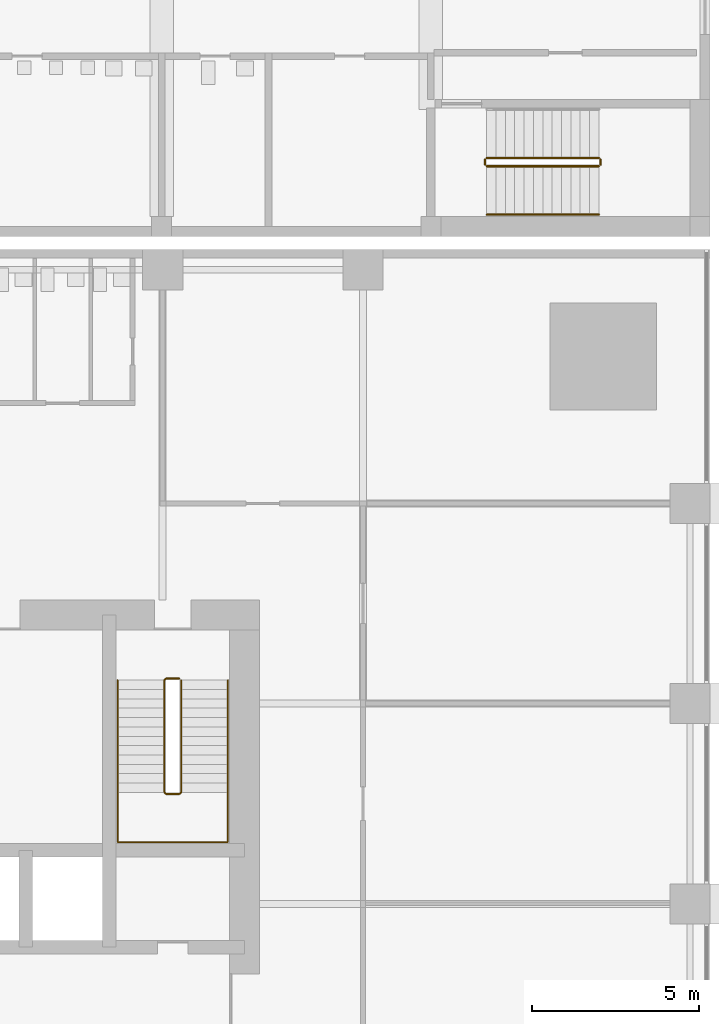
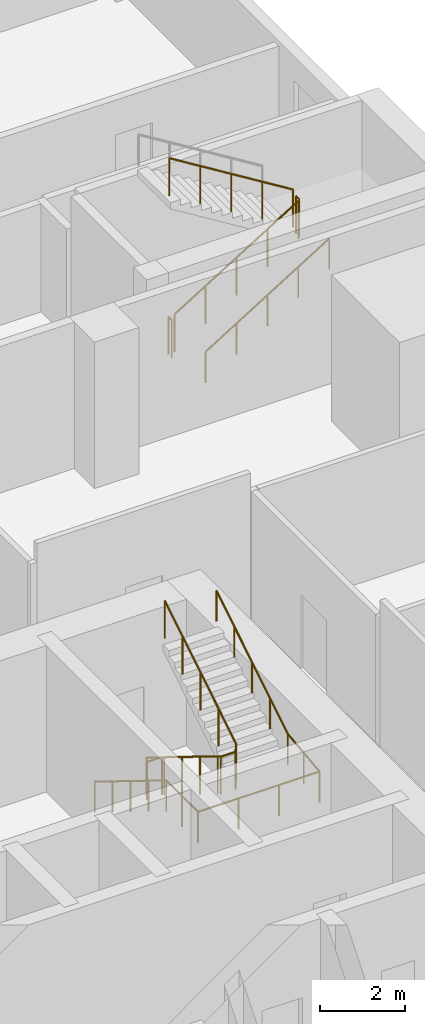
# One storey, part 23 of 25: 7 railings.
"""IFC4 building model written with IfcOpenShell, lengths in metres."""

from ifc_helpers import new_model, si_unit, direction, frame, origin, origin_2d, place, context, subcontext, project, spatial, circle, extrude, material, type_object, element, save


model = new_model("IFC4")

# Units and contexts
model_context = context("Model", 3, precision=1e-05, world=origin(), true_north=direction((0.0, 1.0)))
body_context = subcontext(model_context, "Body", "Model", "MODEL_VIEW")
ifc_project = project(units=[si_unit("LENGTHUNIT", "METRE"), si_unit("AREAUNIT", "SQUARE_METRE"), si_unit("VOLUMEUNIT", "CUBIC_METRE"), si_unit("PLANEANGLEUNIT", "RADIAN"), si_unit("MASSUNIT", "GRAM", prefix="KILO")], contexts=[model_context])

# Site, building, storey
site_placement = place(None, origin())
site = spatial("IfcSite", under=ifc_project, at=site_placement, CompositionType="ELEMENT")
building_placement = place(site_placement, origin())
building = spatial("IfcBuilding", under=site, at=building_placement, Name="Amberfall Residences", CompositionType="ELEMENT")
storey_placement = place(building_placement, frame((0.0, 0.0, 14.5)))
storey = spatial("IfcBuildingStorey", under=building, at=storey_placement, Name="L03", CompositionType="ELEMENT", Elevation=14.5)

# Railings
ifc_material_1 = material(Name="Stainless steel", Category="steel")
railing_type_1 = type_object("IfcRailingType", Name="School stair guard 1100", PredefinedType="GUARDRAIL", material=ifc_material_1)
railing_1_placement = place(storey_placement, frame((93.30810546875, 70.5, 0.173095703125)))
element("IfcRailing", 1, at=railing_1_placement, inside=storey, type_object=railing_type_1, Name="L03 SS5 stair guard 1", PredefinedType="GUARDRAIL", context=body_context, shape_type="SweptSolid", body=[
    extrude(circle(Radius=0.02392578125, at=origin_2d()), frame((0.0, 0.0, 1.076171875), z_axis=(0.850606129759, 0.0, 0.525803396734), x_axis=(0.0, 1.0, 0.0)), (0.0, 0.0, 1.0), 3.949951171875),
    extrude(circle(Radius=0.02099609375, at=origin_2d()), origin(), (0.0, 0.0, 1.0), 1.052001953125),
    extrude(circle(Radius=0.02099609375, at=origin_2d()), frame((0.83984375, 0.0, 0.519287109375)), (0.0, 0.0, 1.0), 1.052001953125),
    extrude(circle(Radius=0.02099609375, at=origin_2d()), frame((1.679931640625, 0.0, 1.03857421875)), (0.0, 0.0, 1.0), 1.052001953125),
    extrude(circle(Radius=0.02099609375, at=origin_2d()), frame((2.52001953125, 0.0, 1.5576171875)), (0.0, 0.0, 1.0), 1.052001953125),
    extrude(circle(Radius=0.02099609375, at=origin_2d()), frame((3.35986328125, 0.0, 2.076904296875)), (0.0, 0.0, 1.0), 1.052001953125),
])
railing_2_placement = place(storey_placement, frame((96.718017578125, 70.550048828125, 2.25)))
element("IfcRailing", 2, at=railing_2_placement, inside=storey, type_object=railing_type_1, Name="L03 SS5 stair guard 2", PredefinedType="GUARDRAIL", context=body_context, shape_type="SweptSolid", body=[
    extrude(circle(Radius=0.02392578125, at=origin_2d()), frame((0.0, 0.0, 1.076171875), z_axis=(0.0, 1.0, 0.0), x_axis=(-1.0, 0.0, 0.0)), (0.0, 0.0, 1.0), 0.14990234375),
    extrude(circle(Radius=0.02099609375, at=origin_2d()), origin(), (0.0, 0.0, 1.0), 1.052001953125),
    extrude(circle(Radius=0.02099609375, at=origin_2d()), frame((0.0, 0.14990234375, 0.0)), (0.0, 0.0, 1.0), 1.052001953125),
])
railing_3_placement = place(storey_placement, frame((96.66796875, 70.75, 2.423095703125)))
element("IfcRailing", 3, at=railing_3_placement, inside=storey, type_object=railing_type_1, Name="L03 SS5 stair guard 3", PredefinedType="GUARDRAIL", context=body_context, shape_type="SweptSolid", body=[
    extrude(circle(Radius=0.02392578125, at=origin_2d()), frame((0.0, 0.0, 1.076171875), z_axis=(-0.850606129759, 0.0, 0.525803396734), x_axis=(0.0, -1.0, 0.0)), (0.0, 0.0, 1.0), 3.949951171875),
    extrude(circle(Radius=0.02099609375, at=origin_2d()), origin(), (0.0, 0.0, 1.0), 1.052001953125),
    extrude(circle(Radius=0.02099609375, at=origin_2d()), frame((-0.83984375, 0.0, 0.519287109375)), (0.0, 0.0, 1.0), 1.052001953125),
    extrude(circle(Radius=0.02099609375, at=origin_2d()), frame((-1.679931640625, 0.0, 1.03857421875)), (0.0, 0.0, 1.0), 1.052001953125),
    extrude(circle(Radius=0.02099609375, at=origin_2d()), frame((-2.52001953125, 0.0, 1.5576171875)), (0.0, 0.0, 1.0), 1.052001953125),
    extrude(circle(Radius=0.02099609375, at=origin_2d()), frame((-3.35986328125, 0.0, 2.076904296875)), (0.0, 0.0, 1.0), 1.052001953125),
])
railing_4_placement = place(storey_placement, frame((93.258056640625, 70.550048828125, 0.0)))
element("IfcRailing", 4, at=railing_4_placement, inside=storey, type_object=railing_type_1, Name="L03 SS5 stair guard 4", PredefinedType="GUARDRAIL", context=body_context, shape_type="SweptSolid", body=[
    extrude(circle(Radius=0.02392578125, at=origin_2d()), frame((0.0, 0.0, 1.076171875), z_axis=(0.0, 1.0, 0.0), x_axis=(-1.0, 0.0, 0.0)), (0.0, 0.0, 1.0), 0.14990234375),
    extrude(circle(Radius=0.02099609375, at=origin_2d()), origin(), (0.0, 0.0, 1.0), 1.052001953125),
    extrude(circle(Radius=0.02099609375, at=origin_2d()), frame((0.0, 0.14990234375, 0.0)), (0.0, 0.0, 1.0), 1.052001953125),
])
railing_type_2 = type_object("IfcRailingType", Name="School stair handrail", PredefinedType="HANDRAIL", material=ifc_material_1)
railing_5_placement = place(storey_placement, frame((93.30810546875, 69.050048828125, 0.173095703125)))
element("IfcRailing", 5, at=railing_5_placement, inside=storey, type_object=railing_type_2, Name="L03 SS5 stair handrail 1", PredefinedType="HANDRAIL", context=body_context, shape_type="SweptSolid", body=[
    extrude(circle(Radius=0.02392578125, at=origin_2d()), frame((0.0, 0.0, 0.8759765625), z_axis=(0.850606129759, 0.0, 0.525803396734), x_axis=(0.0, 1.0, 0.0)), (0.0, 0.0, 1.0), 3.949951171875),
    extrude(circle(Radius=0.02099609375, at=origin_2d()), origin(), (0.0, 0.0, 1.0), 0.851806640625),
    extrude(circle(Radius=0.02099609375, at=origin_2d()), frame((0.83984375, 0.0, 0.519287109375)), (0.0, 0.0, 1.0), 0.851806640625),
    extrude(circle(Radius=0.02099609375, at=origin_2d()), frame((1.679931640625, 0.0, 1.03857421875)), (0.0, 0.0, 1.0), 0.851806640625),
    extrude(circle(Radius=0.02099609375, at=origin_2d()), frame((2.52001953125, 0.0, 1.5576171875)), (0.0, 0.0, 1.0), 0.851806640625),
    extrude(circle(Radius=0.02099609375, at=origin_2d()), frame((3.35986328125, 0.0, 2.076904296875)), (0.0, 0.0, 1.0), 0.851806640625),
])
ifc_material_2 = material(Name="Stainless steel 316", Category="steel")
railing_type_3 = type_object("IfcRailingType", Name="Stair guard 1100", PredefinedType="GUARDRAIL", material=ifc_material_2)
railing_6_placement = place(storey_placement, frame((84.10009765625, 55.14990234375, 0.0)))
element("IfcRailing", 6, at=railing_6_placement, inside=storey, type_object=railing_type_3, Name="L03 stair 3 guard", PredefinedType="GUARDRAIL", context=body_context, shape_type="SweptSolid", body=[
    extrude(circle(Radius=0.02392578125, at=origin_2d()), frame((0.0, 0.0, 1.076171875), z_axis=(-1.0, 0.0, 0.0), x_axis=(0.0, -1.0, 0.0)), (0.0, 0.0, 1.0), 0.400146484375),
    extrude(circle(Radius=0.02392578125, at=origin_2d()), frame((-0.400146484375, 0.0, 1.076171875), z_axis=(-0.267723051232, -0.266417085129, 0.925929967433), x_axis=(0.705375805398, -0.708833529934, 0.0)), (0.0, 0.0, 1.0), 0.18701171875),
    extrude(circle(Radius=0.02392578125, at=origin_2d()), frame((-0.4501953125, -0.0498046875, 1.2490234375), z_axis=(0.0, -0.850623216509, 0.525775754039), x_axis=(1.0, 0.0, 0.0)), (0.0, 0.0, 1.0), 3.9501953125),
    extrude(circle(Radius=0.02392578125, at=origin_2d()), frame((-0.4501953125, -3.409912109375, 3.326171875), z_axis=(0.707106781187, -0.707106781187, 0.0), x_axis=(0.707106781187, 0.707106781187, 0.0)), (0.0, 0.0, 1.0), 0.07080078125),
    extrude(circle(Radius=0.02392578125, at=origin_2d()), frame((-0.400146484375, -3.4599609375, 3.326171875), z_axis=(1.0, 0.0, 0.0), x_axis=(0.0, 1.0, 0.0)), (0.0, 0.0, 1.0), 0.400146484375),
    extrude(circle(Radius=0.02392578125, at=origin_2d()), frame((0.0, -3.4599609375, 3.326171875), z_axis=(0.266417085129, 0.267723051232, 0.925929967433), x_axis=(-0.708833529934, 0.705375805398, 0.0)), (0.0, 0.0, 1.0), 0.18701171875),
    extrude(circle(Radius=0.02392578125, at=origin_2d()), frame((0.0498046875, -3.409912109375, 3.4990234375), z_axis=(0.0, 0.850623216509, 0.525775754039), x_axis=(-1.0, 0.0, 0.0)), (0.0, 0.0, 1.0), 3.9501953125),
    extrude(circle(Radius=0.02099609375, at=origin_2d()), origin(), (0.0, 0.0, 1.0), 1.052001953125),
    extrude(circle(Radius=0.02099609375, at=origin_2d()), frame((-0.400146484375, 0.0, 0.0)), (0.0, 0.0, 1.0), 1.052001953125),
    extrude(circle(Radius=0.02099609375, at=origin_2d()), frame((-0.4501953125, -0.0498046875, 0.173095703125)), (0.0, 0.0, 1.0), 1.052001953125),
    extrude(circle(Radius=0.02099609375, at=origin_2d()), frame((-0.4501953125, -0.889892578125, 0.6923828125)), (0.0, 0.0, 1.0), 1.052001953125),
    extrude(circle(Radius=0.02099609375, at=origin_2d()), frame((-0.4501953125, -1.72998046875, 1.21142578125)), (0.0, 0.0, 1.0), 1.052001953125),
    extrude(circle(Radius=0.02099609375, at=origin_2d()), frame((-0.4501953125, -2.56982421875, 1.730712890625)), (0.0, 0.0, 1.0), 1.052001953125),
    extrude(circle(Radius=0.02099609375, at=origin_2d()), frame((-0.4501953125, -3.409912109375, 2.25)), (0.0, 0.0, 1.0), 1.052001953125),
    extrude(circle(Radius=0.02099609375, at=origin_2d()), frame((-0.400146484375, -3.4599609375, 2.25)), (0.0, 0.0, 1.0), 1.052001953125),
    extrude(circle(Radius=0.02099609375, at=origin_2d()), frame((0.0, -3.4599609375, 2.25)), (0.0, 0.0, 1.0), 1.052001953125),
    extrude(circle(Radius=0.02099609375, at=origin_2d()), frame((0.0498046875, -3.409912109375, 2.423095703125)), (0.0, 0.0, 1.0), 1.052001953125),
    extrude(circle(Radius=0.02099609375, at=origin_2d()), frame((0.0498046875, -2.56982421875, 2.9423828125)), (0.0, 0.0, 1.0), 1.052001953125),
    extrude(circle(Radius=0.02099609375, at=origin_2d()), frame((0.0498046875, -1.72998046875, 3.46142578125)), (0.0, 0.0, 1.0), 1.052001953125),
    extrude(circle(Radius=0.02099609375, at=origin_2d()), frame((0.0498046875, -0.889892578125, 3.980712890625)), (0.0, 0.0, 1.0), 1.052001953125),
    extrude(circle(Radius=0.02099609375, at=origin_2d()), frame((0.0498046875, -0.0498046875, 4.5)), (0.0, 0.0, 1.0), 1.052001953125),
])
railing_type_4 = type_object("IfcRailingType", Name="Stair handrail 900", PredefinedType="HANDRAIL", material=ifc_material_2)
railing_7_placement = place(storey_placement, frame((82.25, 55.10009765625, 0.173095703125)))
element("IfcRailing", 7, at=railing_7_placement, inside=storey, type_object=railing_type_4, Name="L03 stair 3 handrail", PredefinedType="HANDRAIL", context=body_context, shape_type="SweptSolid", body=[
    extrude(circle(Radius=0.02392578125, at=origin_2d()), frame((0.0, 0.0, 0.8759765625), z_axis=(0.0, -0.850623216509, 0.525775754039), x_axis=(1.0, 0.0, 0.0)), (0.0, 0.0, 1.0), 3.9501953125),
    extrude(circle(Radius=0.02392578125, at=origin_2d()), frame((0.0, -3.360107421875, 2.95263671875), z_axis=(0.0, -1.0, 0.0), x_axis=(1.0, 0.0, 0.0)), (0.0, 0.0, 1.0), 1.489990234375),
    extrude(circle(Radius=0.02392578125, at=origin_2d()), frame((0.0, -4.85009765625, 2.95263671875), z_axis=(1.0, 0.0, 0.0), x_axis=(0.0, 1.0, 0.0)), (0.0, 0.0, 1.0), 3.300048828125),
    extrude(circle(Radius=0.02392578125, at=origin_2d()), frame((3.300048828125, -4.85009765625, 2.95263671875), z_axis=(0.0, 0.993319533971, 0.115396288642), x_axis=(-1.0, 0.0, 0.0)), (0.0, 0.0, 1.0), 1.5),
    extrude(circle(Radius=0.02392578125, at=origin_2d()), frame((3.300048828125, -3.360107421875, 3.1259765625), z_axis=(0.0, 0.850623216509, 0.525775754039), x_axis=(-1.0, 0.0, 0.0)), (0.0, 0.0, 1.0), 3.9501953125),
    extrude(circle(Radius=0.02099609375, at=origin_2d()), origin(), (0.0, 0.0, 1.0), 0.851806640625),
    extrude(circle(Radius=0.02099609375, at=origin_2d()), frame((0.0, -0.840087890625, 0.519287109375)), (0.0, 0.0, 1.0), 0.851806640625),
    extrude(circle(Radius=0.02099609375, at=origin_2d()), frame((0.0, -1.68017578125, 1.03857421875)), (0.0, 0.0, 1.0), 0.851806640625),
    extrude(circle(Radius=0.02099609375, at=origin_2d()), frame((0.0, -2.52001953125, 1.5576171875)), (0.0, 0.0, 1.0), 0.851806640625),
    extrude(circle(Radius=0.02099609375, at=origin_2d()), frame((0.0, -3.360107421875, 2.076904296875)), (0.0, 0.0, 1.0), 0.851806640625),
    extrude(circle(Radius=0.02099609375, at=origin_2d()), frame((0.0, -4.10498046875, 2.076904296875)), (0.0, 0.0, 1.0), 0.851806640625),
    extrude(circle(Radius=0.02099609375, at=origin_2d()), frame((0.0, -4.85009765625, 2.076904296875)), (0.0, 0.0, 1.0), 0.851806640625),
    extrude(circle(Radius=0.02099609375, at=origin_2d()), frame((1.10009765625, -4.85009765625, 2.076904296875)), (0.0, 0.0, 1.0), 0.851806640625),
    extrude(circle(Radius=0.02099609375, at=origin_2d()), frame((2.199951171875, -4.85009765625, 2.076904296875)), (0.0, 0.0, 1.0), 0.851806640625),
    extrude(circle(Radius=0.02099609375, at=origin_2d()), frame((3.300048828125, -4.85009765625, 2.076904296875)), (0.0, 0.0, 1.0), 0.851806640625),
    extrude(circle(Radius=0.02099609375, at=origin_2d()), frame((3.300048828125, -4.10498046875, 2.16357421875)), (0.0, 0.0, 1.0), 0.851806640625),
    extrude(circle(Radius=0.02099609375, at=origin_2d()), frame((3.300048828125, -3.360107421875, 2.25)), (0.0, 0.0, 1.0), 0.851806640625),
    extrude(circle(Radius=0.02099609375, at=origin_2d()), frame((3.300048828125, -2.52001953125, 2.769287109375)), (0.0, 0.0, 1.0), 0.851806640625),
    extrude(circle(Radius=0.02099609375, at=origin_2d()), frame((3.300048828125, -1.68017578125, 3.28857421875)), (0.0, 0.0, 1.0), 0.851806640625),
    extrude(circle(Radius=0.02099609375, at=origin_2d()), frame((3.300048828125, -0.840087890625, 3.8076171875)), (0.0, 0.0, 1.0), 0.851806640625),
    extrude(circle(Radius=0.02099609375, at=origin_2d()), frame((3.300048828125, 0.0, 4.326904296875)), (0.0, 0.0, 1.0), 0.851806640625),
])

save(model, "model.ifc")
